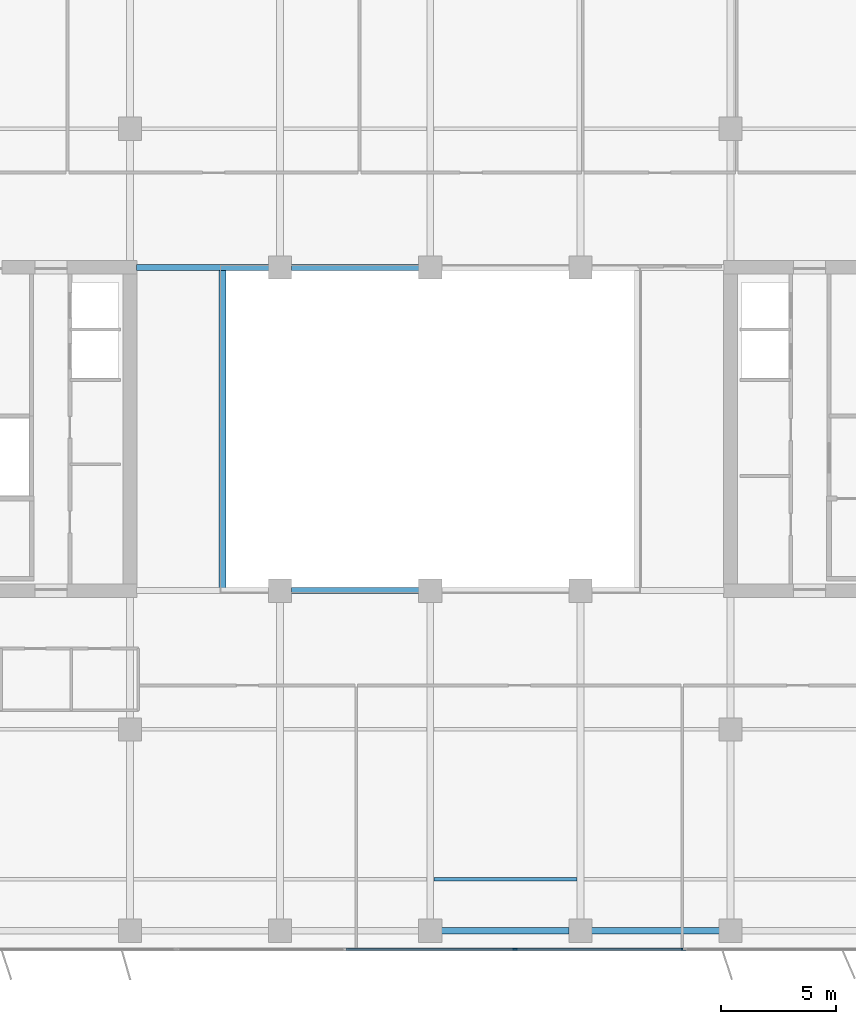
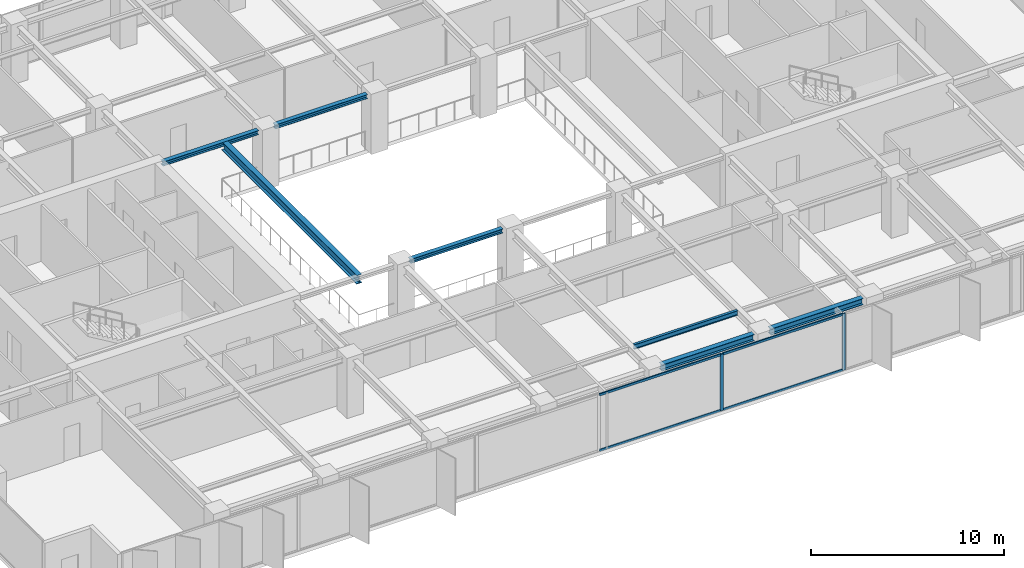
# One storey, part 5 of 22: 7 beams, 6 members, 1 element without a shape of its own.
"""IFC4 building model written with IfcOpenShell, lengths in metres."""

from ifc_helpers import new_model, si_unit, direction, frame, origin, origin_2d, place, context, subcontext, project, spatial, rectangle, i_section, extrude, material, layer, layer_set, material_profile, profile_set, type_object, element, aggregate, save


model = new_model("IFC4")

# Units and contexts
model_context = context("Model", 3, precision=1e-05, world=origin(), true_north=direction((0.0, 1.0)))
body_context = subcontext(model_context, "Body", "Model", "MODEL_VIEW")
ifc_project = project(units=[si_unit("LENGTHUNIT", "METRE"), si_unit("AREAUNIT", "SQUARE_METRE"), si_unit("VOLUMEUNIT", "CUBIC_METRE"), si_unit("PLANEANGLEUNIT", "RADIAN"), si_unit("MASSUNIT", "GRAM", prefix="KILO")], contexts=[model_context])

# Site, building, storey
site_placement = place(None, origin())
site = spatial("IfcSite", under=ifc_project, at=site_placement, CompositionType="ELEMENT")
building_placement = place(site_placement, origin())
building = spatial("IfcBuilding", under=site, at=building_placement, Name="Putna Gate Headquarters", CompositionType="ELEMENT")
storey_placement = place(building_placement, frame((0.0, 0.0, 159.39990234375)))
storey = spatial("IfcBuildingStorey", under=building, at=storey_placement, Name="L39", CompositionType="ELEMENT", Elevation=159.39990234375)

# Beams
ifc_material_1 = material(Name="Steel S355J2", Category="steel")
ifc_material_profile_1 = material_profile(ifc_material_1, i_section(OverallWidth=0.260009765625, OverallDepth=0.260009765625, WebThickness=0.010009765625, FlangeThickness=0.017578125, at=origin_2d()), Name="Steel S355J2")
ifc_profile_set_1 = profile_set([ifc_material_profile_1], Name="Steel S355J2")
beam_type_1 = type_object("IfcBeamType", Name="BM-ATRIUM-HEB260", PredefinedType="BEAM", material=ifc_profile_set_1)
beam_1_placement = place(storey_placement, frame((32.988037109375, 19.0, 3.442138671875), z_axis=(1.0, 0.0, 0.0), x_axis=(0.0, 1.0, 0.0)))
element("IfcBeam", 1, at=beam_1_placement, inside=storey, type_object=beam_type_1, Name="L39 Atrium Edge Beam AS2", PredefinedType="BEAM", context=body_context, shape_type="SweptSolid", body=[
    extrude(i_section(OverallWidth=0.260009765625, OverallDepth=0.260009765625, WebThickness=0.010009765625, FlangeThickness=0.017578125, at=origin_2d()), origin(), (0.0, 0.0, 1.0), 5.52392578125),
])
beam_2_placement = place(storey_placement, frame((26.284912109375, 33.0, 3.442138671875), z_axis=(1.0, 0.0, 0.0), x_axis=(0.0, 1.0, 0.0)))
element("IfcBeam", 2, at=beam_2_placement, inside=storey, type_object=beam_type_1, Name="L39 Atrium Edge Beam AN1", PredefinedType="BEAM", context=body_context, shape_type="SweptSolid", body=[
    extrude(i_section(OverallWidth=0.260009765625, OverallDepth=0.260009765625, WebThickness=0.010009765625, FlangeThickness=0.017578125, at=origin_2d()), origin(), (0.0, 0.0, 1.0), 5.72705078125),
])
beam_3_placement = place(storey_placement, frame((32.988037109375, 33.0, 3.442138671875), z_axis=(1.0, 0.0, 0.0), x_axis=(0.0, 1.0, 0.0)))
element("IfcBeam", 3, at=beam_3_placement, inside=storey, type_object=beam_type_1, Name="L39 Atrium Edge Beam AN2", PredefinedType="BEAM", context=body_context, shape_type="SweptSolid", body=[
    extrude(i_section(OverallWidth=0.260009765625, OverallDepth=0.260009765625, WebThickness=0.010009765625, FlangeThickness=0.017578125, at=origin_2d()), origin(), (0.0, 0.0, 1.0), 5.52392578125),
])
ifc_material_profile_2 = material_profile(ifc_material_1, i_section(OverallWidth=0.300048828125, OverallDepth=0.550048828125, WebThickness=0.014892578125, FlangeThickness=0.029052734375, at=origin_2d()), Name="Steel S355J2")
ifc_profile_set_2 = profile_set([ifc_material_profile_2], Name="Steel S355J2")
beam_type_2 = type_object("IfcBeamType", Name="BM-GIRD-Z3-HEB550", PredefinedType="USERDEFINED", material=ifc_profile_set_2)
beam_4_placement = place(storey_placement, frame((30.0, 19.010009765625, 3.297119140625), z_axis=(0.0, 1.0, 0.0), x_axis=(-1.0, 0.0, 0.0)))
element("IfcBeam", 4, at=beam_4_placement, inside=storey, type_object=beam_type_2, Name="L39 Atrium Trim Girder AW", ObjectType="GIRDER", PredefinedType="USERDEFINED", context=body_context, shape_type="SweptSolid", body=[
    extrude(i_section(OverallWidth=0.300048828125, OverallDepth=0.550048828125, WebThickness=0.014892578125, FlangeThickness=0.029052734375, at=origin_2d()), origin(), (0.0, 0.0, 1.0), 13.97998046875),
])
ifc_material_profile_3 = material_profile(ifc_material_1, i_section(OverallWidth=0.14990234375, OverallDepth=0.300048828125, WebThickness=0.007080078125, FlangeThickness=0.0107421875, at=origin_2d()), Name="Steel S355J2")
ifc_profile_set_3 = profile_set([ifc_material_profile_3], Name="Steel S355J2")
beam_type_3 = type_object("IfcBeamType", Name="BM-SEC-Z3-IPE300", PredefinedType="JOIST", material=ifc_profile_set_3)
beam_5_placement = place(storey_placement, frame((39.154052734375, 6.5, 3.422119140625), z_axis=(1.0, 0.0, 0.0), x_axis=(0.0, 1.0, 0.0)))
element("IfcBeam", 5, at=beam_5_placement, inside=storey, type_object=beam_type_3, Name="L39 South Secondary Beam 5", PredefinedType="JOIST", context=body_context, shape_type="SweptSolid", body=[
    extrude(i_section(OverallWidth=0.14990234375, OverallDepth=0.300048828125, WebThickness=0.007080078125, FlangeThickness=0.0107421875, at=origin_2d()), origin(), (0.0, 0.0, 1.0), 6.19189453125),
])
ifc_material_profile_4 = material_profile(ifc_material_1, i_section(OverallWidth=0.300048828125, OverallDepth=0.39990234375, WebThickness=0.013427734375, FlangeThickness=0.02392578125, at=origin_2d()), Name="Steel S355J2")
ifc_profile_set_4 = profile_set([ifc_material_profile_4], Name="Steel S355J2")
beam_type_4 = type_object("IfcBeamType", Name="BM-SPAN-Z3-HEB400", PredefinedType="SPANDREL", material=ifc_profile_set_4)
for number, where, z_axis, x_axis, name in (
    (6, (39.488037109375, 4.280029296875, 3.3720703125), (1.0, 0.0, 0.0), (0.0, 1.0, 0.0), "L39 S Perimeter Spandrel 5"),
    (7, (45.988037109375, 4.280029296875, 3.3720703125), (1.0, 0.0, 0.0), (0.0, 1.0, 0.0), "L39 S Perimeter Spandrel 6"),
):
    element("IfcBeam", number, at=place(storey_placement, frame(where, z_axis=z_axis, x_axis=x_axis)), inside=storey, type_object=beam_type_4, Name=name, PredefinedType="SPANDREL", context=body_context, shape_type="SweptSolid", body=[
        extrude(i_section(OverallWidth=0.300048828125, OverallDepth=0.39990234375, WebThickness=0.013427734375, FlangeThickness=0.02392578125, at=origin_2d()), origin(), (0.0, 0.0, 1.0), 5.52392578125),
    ])

# Curtain wall, members
ifc_material_2 = material(Name="Anodised bronze aluminium curtain wall", Category="aluminium")
ifc_layer = layer(ifc_material_2, 0.179931640625)
ifc_layer_set = layer_set([ifc_layer], Name="Anodised bronze aluminium curtain wall")
curtain_wall_type = type_object("IfcCurtainWallType", Name="CW-SYS-ATR", PredefinedType="USERDEFINED", material=ifc_layer_set)
curtain_wall_placement = place(storey_placement, origin())
curtain_wall = element("IfcCurtainWall", 8, at=curtain_wall_placement, inside=storey, type_object=curtain_wall_type, Name="L39 South Atrium Clear Glazing", ObjectType="ATRIUM GLAZING", PredefinedType="USERDEFINED")
ifc_material_3 = material(Name="Anodised bronze aluminium EN AW-6060", Category="aluminium")
ifc_material_profile_5 = material_profile(ifc_material_3, rectangle(XDim=0.070068359375, YDim=0.179931640625, at=origin_2d()), Name="Anodised bronze aluminium EN AW-6060")
ifc_profile_set_5 = profile_set([ifc_material_profile_5], Name="Anodised bronze aluminium EN AW-6060")
member_type_1 = type_object("IfcMemberType", Name="MULL-CWM-AT", PredefinedType="MULLION", material=ifc_profile_set_5)
member_1_placement = place(storey_placement, frame((42.666748046875, 3.47998046875, 0.0), z_axis=(0.0, 0.0, 1.0), x_axis=(0.0, 1.0, 0.0)))
member_1 = element("IfcMember", 9, at=member_1_placement, type_object=member_type_1, Name="CWS-AT mullion 3", PredefinedType="MULLION", context=body_context, shape_type="SweptSolid", body=[
    extrude(rectangle(XDim=0.070068359375, YDim=0.179931640625, at=origin_2d()), origin(), (0.0, 0.0, 1.0), 3.572021484375),
])
member_2_placement = place(storey_placement, frame((49.965087890625, 3.47998046875, 0.0), z_axis=(0.0, 0.0, 1.0), x_axis=(0.0, 1.0, 0.0)))
member_2 = element("IfcMember", 10, at=member_2_placement, type_object=member_type_1, Name="CWS-AT mullion 4", PredefinedType="MULLION", context=body_context, shape_type="SweptSolid", body=[
    extrude(rectangle(XDim=0.070068359375, YDim=0.179931640625, at=origin_2d()), origin(), (0.0, 0.0, 1.0), 3.572021484375),
])
ifc_material_profile_6 = material_profile(ifc_material_3, rectangle(XDim=0.070068359375, YDim=0.139892578125, at=origin_2d()), Name="Anodised bronze aluminium EN AW-6060")
ifc_profile_set_6 = profile_set([ifc_material_profile_6], Name="Anodised bronze aluminium EN AW-6060")
member_type_2 = type_object("IfcMemberType", Name="TRAN-CWT-AT", PredefinedType="USERDEFINED", material=ifc_profile_set_6)
member_3_placement = place(storey_placement, frame((35.368408203125, 3.47998046875, 0.03515625), z_axis=(1.0, 0.0, 0.0), x_axis=(0.0, 1.0, 0.0)))
member_3 = element("IfcMember", 11, at=member_3_placement, type_object=member_type_2, Name="CWS-AT transom 2.1", ObjectType="TRANSOM", PredefinedType="USERDEFINED", context=body_context, shape_type="SweptSolid", body=[
    extrude(rectangle(XDim=0.070068359375, YDim=0.139892578125, at=origin_2d()), origin(), (0.0, 0.0, 1.0), 7.26318359375),
])
member_4_placement = place(storey_placement, frame((35.368408203125, 3.47998046875, 3.537109375), z_axis=(1.0, 0.0, 0.0), x_axis=(0.0, 1.0, 0.0)))
member_4 = element("IfcMember", 12, at=member_4_placement, type_object=member_type_2, Name="CWS-AT transom 2.2", ObjectType="TRANSOM", PredefinedType="USERDEFINED", context=body_context, shape_type="SweptSolid", body=[
    extrude(rectangle(XDim=0.070068359375, YDim=0.139892578125, at=origin_2d()), origin(), (0.0, 0.0, 1.0), 7.26318359375),
])
member_5_placement = place(storey_placement, frame((42.70166015625, 3.47998046875, 0.03515625), z_axis=(1.0, 0.0, 0.0), x_axis=(0.0, 1.0, 0.0)))
member_5 = element("IfcMember", 13, at=member_5_placement, type_object=member_type_2, Name="CWS-AT transom 3.1", ObjectType="TRANSOM", PredefinedType="USERDEFINED", context=body_context, shape_type="SweptSolid", body=[
    extrude(rectangle(XDim=0.070068359375, YDim=0.139892578125, at=origin_2d()), origin(), (0.0, 0.0, 1.0), 7.228271484375),
])
member_6_placement = place(storey_placement, frame((42.70166015625, 3.47998046875, 3.537109375), z_axis=(1.0, 0.0, 0.0), x_axis=(0.0, 1.0, 0.0)))
member_6 = element("IfcMember", 14, at=member_6_placement, type_object=member_type_2, Name="CWS-AT transom 3.2", ObjectType="TRANSOM", PredefinedType="USERDEFINED", context=body_context, shape_type="SweptSolid", body=[
    extrude(rectangle(XDim=0.070068359375, YDim=0.139892578125, at=origin_2d()), origin(), (0.0, 0.0, 1.0), 7.228271484375),
])
aggregate(curtain_wall, [member_1, member_2, member_3, member_4, member_5, member_6])

save(model, "model.ifc")
